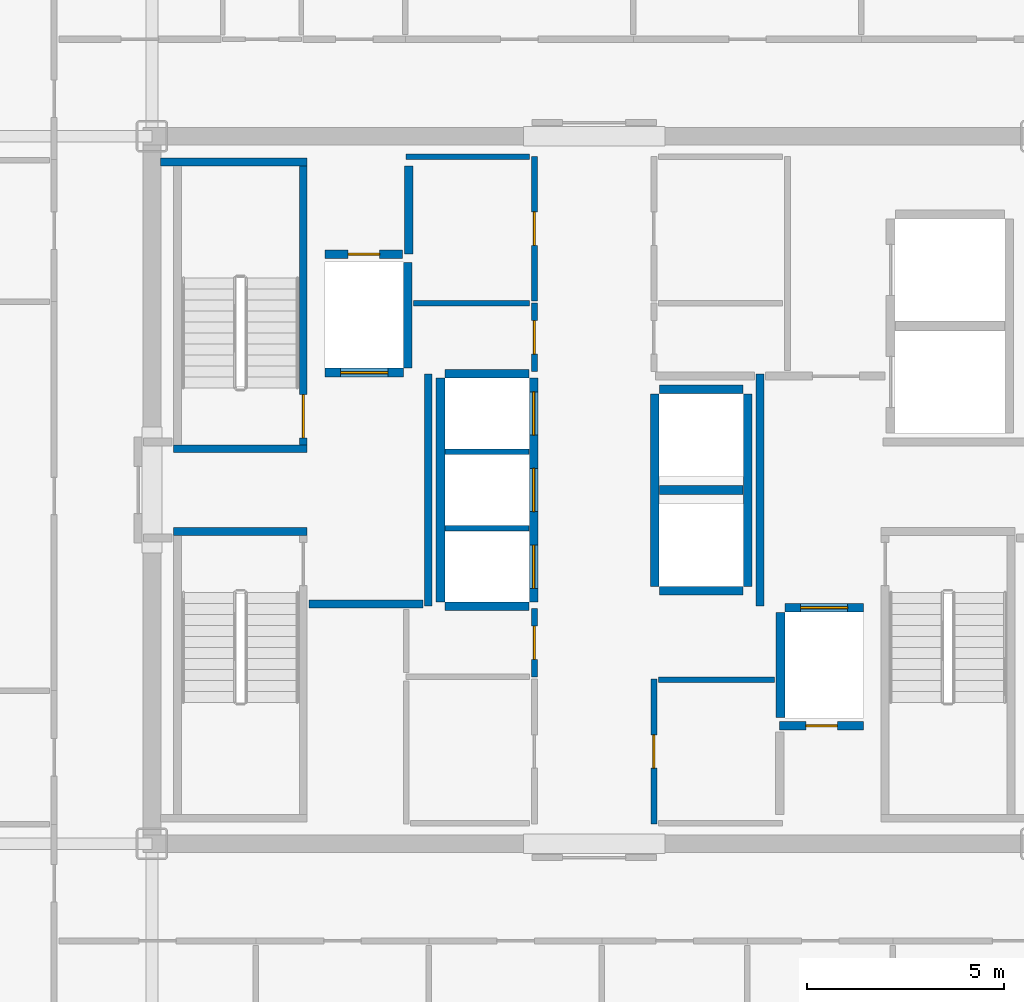
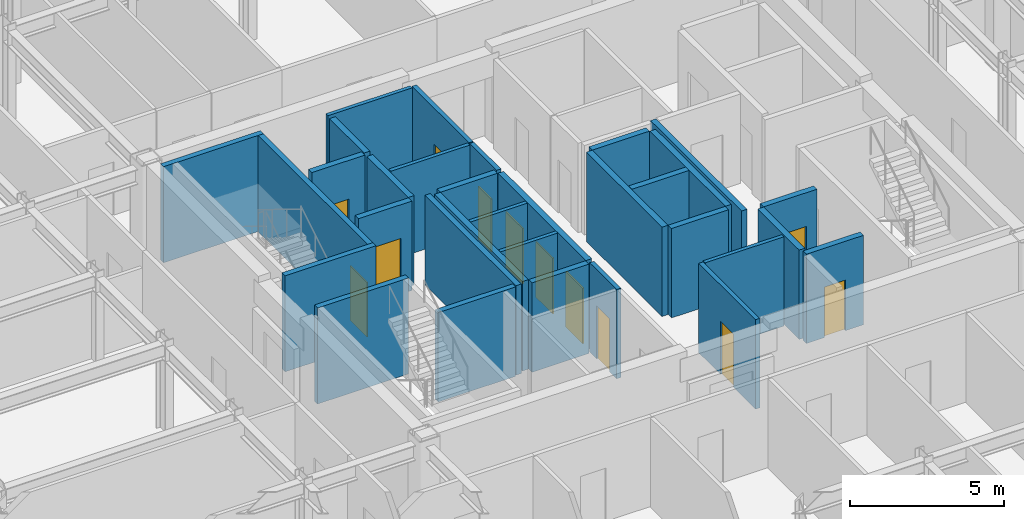
# One storey, part 12 of 17: 32 walls, 12 doors, 12 openings.
"""IFC4 building model written with IfcOpenShell, lengths in metres."""

from ifc_helpers import new_model, si_unit, direction, frame, frame_2d, origin, place, context, subcontext, project, spatial, rectangle, extrude, source, transform, mapped, material, layer, layer_set, type_object, element, fill, save


model = new_model("IFC4")

# Units and contexts
model_context = context("Model", 3, precision=1e-05, world=origin(), true_north=direction((0.0, 1.0)))
body_context = subcontext(model_context, "Body", "Model", "MODEL_VIEW")
ifc_project = project(units=[si_unit("LENGTHUNIT", "METRE"), si_unit("AREAUNIT", "SQUARE_METRE"), si_unit("VOLUMEUNIT", "CUBIC_METRE"), si_unit("PLANEANGLEUNIT", "RADIAN"), si_unit("MASSUNIT", "GRAM", prefix="KILO")], contexts=[model_context])

# Site, building, storey
site_placement = place(None, origin())
site = spatial("IfcSite", under=ifc_project, at=site_placement, CompositionType="ELEMENT")
building_placement = place(site_placement, origin())
building = spatial("IfcBuilding", under=site, at=building_placement, Name="Nefas-Gora Pilgrimage Tower", CompositionType="ELEMENT")
storey_placement = place(building_placement, frame((0.0, 0.0, 279.800048828125)))
storey = spatial("IfcBuildingStorey", under=building, at=storey_placement, Name="L70", CompositionType="ELEMENT", Elevation=279.800048828125)

# Walls
ifc_material_1 = material(Name="Concrete C45/55", Category="concrete")
ifc_layer_1 = layer(ifc_material_1, 0.199951171875)
ifc_layer_set_1 = layer_set([ifc_layer_1], Name="Concrete C45/55")
wall_type_1 = type_object("IfcWallType", Name="IW-STAIR-200", PredefinedType="SOLIDWALL", material=ifc_layer_set_1)
shared_shape_1 = source(origin(), body_context, "Body", "SweptSolid", [
    extrude(rectangle(XDim=3.39990234375, YDim=0.199951171875, at=frame_2d((1.699951171875, 0.0))), origin(), (0.0, 0.0, 1.0), 3.800048828125),
])
for number, where, z_axis, x_axis, name in (
    (1, (-7.300048828125, 1.050048828125, 0.0), (0.0, 0.0, 1.0), (-1.0, 0.0, 0.0), "L70 Stairwell Shear Wall ST-01-near"),
    (2, (-10.699951171875, -1.050048828125, 0.0), (0.0, 0.0, 1.0), (1.0, 0.0, 0.0), "L70 Stairwell Shear Wall ST-03-near"),
):
    element("IfcWall", number, at=place(storey_placement, frame(where, z_axis=z_axis, x_axis=x_axis)), inside=storey, type_object=wall_type_1, Name=name, PredefinedType="SOLIDWALL", context=body_context, shape_type="MappedRepresentation", body=[
        mapped(shared_shape_1, transform((0.0, 0.0, 0.0), x_axis=(1.0, 0.0, 0.0), y_axis=(0.0, 1.0, 0.0), z_axis=(0.0, 0.0, 1.0), scale=1.0)),
    ])

# Wall, opening, door
shared_shape_2 = source(origin(), body_context, "Body", "SweptSolid", [
    extrude(rectangle(XDim=7.10009765625, YDim=0.199951171875, at=frame_2d((3.550048828125, 0.0))), origin(), (0.0, 0.0, 1.0), 3.800048828125),
])
wall_1_placement = place(storey_placement, frame((-7.39990234375, 1.14990234375, 0.0), z_axis=(0.0, 0.0, 1.0), x_axis=(0.0, 1.0, 0.0)))
wall_1 = element("IfcWall", 3, at=wall_1_placement, inside=storey, type_object=wall_type_1, Name="L70 Stairwell Shear Wall ST-01-left", PredefinedType="SOLIDWALL", context=body_context, shape_type="MappedRepresentation", body=[
    mapped(shared_shape_2, transform((0.0, 0.0, 0.0), x_axis=(1.0, 0.0, 0.0), y_axis=(0.0, 1.0, 0.0), z_axis=(0.0, 0.0, 1.0), scale=1.0)),
])
opening_1_placement = place(wall_1_placement, frame((0.179931640625, 0.0, 0.0)))
opening_1 = element("IfcOpeningElement", 4, at=opening_1_placement, cuts=wall_1, Name="Opening ID-ST1", PredefinedType="OPENING", context=body_context, shape_type="SweptSolid", body=[
    extrude(rectangle(XDim=1.10009765625, YDim=2.14990234375, at=frame_2d((0.550048828125, 1.074951171875))), frame((0.0, 0.10986328125, 0.0), z_axis=(0.0, -1.0, 0.0), x_axis=(1.0, 0.0, 0.0)), (0.0, 0.0, 1.0), 0.219970703125),
])
ifc_material_2 = material(Name="Painted galvanised steel fire stair door", Category="steel")
door_type_1 = type_object("IfcDoorType", Name="DR-INT-STAIR-1100", OperationType="NOTDEFINED", PredefinedType="DOOR", material=ifc_material_2)
shared_shape_3 = source(origin(), body_context, "Body", "SweptSolid", [
    extrude(rectangle(XDim=1.10009765625, YDim=2.14990234375, at=frame_2d((0.550048828125, 1.074951171875))), frame((0.0, 0.02490234375, 0.0), z_axis=(0.0, -1.0, 0.0), x_axis=(1.0, 0.0, 0.0)), (0.0, 0.0, 1.0), 0.050048828125),
])
door_1_placement = place(opening_1_placement, origin())
door_1 = element("IfcDoor", 5, at=door_1_placement, inside=storey, type_object=door_type_1, Name="L70 Protected Exit Stair Door ST-01", OperationType="SINGLE_SWING_RIGHT", OverallHeight=2.14990234375, OverallWidth=1.10009765625, PredefinedType="DOOR", context=body_context, shape_type="MappedRepresentation", body=[
    mapped(shared_shape_3, transform((0.0, 0.0, 0.0), x_axis=(1.0, 0.0, 0.0), y_axis=(0.0, 1.0, 0.0), z_axis=(0.0, 0.0, 1.0), scale=1.0)),
])
fill(opening_1, door_1)

# Wall
shared_shape_4 = source(origin(), body_context, "Body", "SweptSolid", [
    extrude(rectangle(XDim=3.72998046875, YDim=0.199951171875, at=frame_2d((1.864990234375, 0.0))), origin(), (0.0, 0.0, 1.0), 3.800048828125),
])
wall_2_placement = place(storey_placement, frame((-7.300048828125, 8.35009765625, 0.0), z_axis=(0.0, 0.0, 1.0), x_axis=(-1.0, 0.0, 0.0)))
element("IfcWall", 6, at=wall_2_placement, inside=storey, type_object=wall_type_1, Name="L70 Stairwell Shear Wall ST-01-far", PredefinedType="SOLIDWALL", context=body_context, shape_type="MappedRepresentation", body=[
    mapped(shared_shape_4, transform((0.0, 0.0, 0.0), x_axis=(1.0, 0.0, 0.0), y_axis=(0.0, 1.0, 0.0), z_axis=(0.0, 0.0, 1.0), scale=1.0)),
])

# Wall, opening, door
ifc_material_3 = material(Name="Concrete C40/50", Category="concrete")
ifc_layer_2 = layer(ifc_material_3, 0.219970703125)
ifc_layer_set_2 = layer_set([ifc_layer_2], Name="Concrete C40/50")
wall_type_2 = type_object("IfcWallType", Name="IW-SHAFT-220", PredefinedType="SOLIDWALL", material=ifc_layer_set_2)
shared_shape_5 = source(origin(), body_context, "Body", "SweptSolid", [
    extrude(rectangle(XDim=2.0, YDim=0.219970703125, at=frame_2d((1.0, 0.0))), origin(), (0.0, 0.0, 1.0), 3.534912109375),
])
wall_3_placement = place(storey_placement, frame((-6.85009765625, 2.989990234375, 0.0), z_axis=(0.0, 0.0, 1.0), x_axis=(1.0, 0.0, 0.0)))
wall_3 = element("IfcWall", 7, at=wall_3_placement, inside=storey, type_object=wall_type_2, Name="L70 Hoistway Wall FFL-01-S", PredefinedType="SOLIDWALL", context=body_context, shape_type="MappedRepresentation", body=[
    mapped(shared_shape_5, transform((0.0, 0.0, 0.0), x_axis=(1.0, 0.0, 0.0), y_axis=(0.0, 1.0, 0.0), z_axis=(0.0, 0.0, 1.0), scale=1.0)),
])
opening_2_placement = place(wall_3_placement, frame((0.39990234375, 0.0, 0.0)))
opening_2 = element("IfcOpeningElement", 8, at=opening_2_placement, cuts=wall_3, Name="Opening LD-FF", PredefinedType="OPENING", context=body_context, shape_type="SweptSolid", body=[
    extrude(rectangle(XDim=1.199951171875, YDim=2.199951171875, at=frame_2d((0.60009765625, 1.10009765625))), frame((0.0, 0.119873046875, 0.0), z_axis=(0.0, -1.0, 0.0), x_axis=(1.0, 0.0, 0.0)), (0.0, 0.0, 1.0), 0.239990234375),
])
ifc_material_4 = material(Name="Fire-service sliding lift landing door")
door_type_2 = type_object("IfcDoorType", Name="DR-LIFT-FSAE-1200", OperationType="SLIDING_TO_LEFT", PredefinedType="DOOR", material=ifc_material_4)
shared_shape_6 = source(origin(), body_context, "Body", "SweptSolid", [
    extrude(rectangle(XDim=1.199951171875, YDim=2.199951171875, at=frame_2d((0.60009765625, 1.10009765625))), frame((0.0, 0.02490234375, 0.0), z_axis=(0.0, -1.0, 0.0), x_axis=(1.0, 0.0, 0.0)), (0.0, 0.0, 1.0), 0.050048828125),
])
door_2_placement = place(opening_2_placement, origin())
door_2 = element("IfcDoor", 9, at=door_2_placement, inside=storey, type_object=door_type_2, Name="L70 Sliding Lift Landing Door FFL-01", OperationType="SLIDING_TO_LEFT", OverallHeight=2.199951171875, OverallWidth=1.199951171875, PredefinedType="DOOR", context=body_context, shape_type="MappedRepresentation", body=[
    mapped(shared_shape_6, transform((0.0, 0.0, 0.0), x_axis=(1.0, 0.0, 0.0), y_axis=(0.0, 1.0, 0.0), z_axis=(0.0, 0.0, 1.0), scale=1.0)),
])
fill(opening_2, door_2)

wall_4_placement = place(storey_placement, frame((6.85009765625, -2.989990234375, 0.0), z_axis=(0.0, 0.0, 1.0), x_axis=(-1.0, 0.0, 0.0)))
wall_4 = element("IfcWall", 10, at=wall_4_placement, inside=storey, type_object=wall_type_2, Name="L70 Hoistway Wall FFL-02-N", PredefinedType="SOLIDWALL", context=body_context, shape_type="MappedRepresentation", body=[
    mapped(shared_shape_5, transform((0.0, 0.0, 0.0), x_axis=(1.0, 0.0, 0.0), y_axis=(0.0, 1.0, 0.0), z_axis=(0.0, 0.0, 1.0), scale=1.0)),
])
opening_3_placement = place(wall_4_placement, frame((0.39990234375, 0.0, 0.0)))
opening_3 = element("IfcOpeningElement", 11, at=opening_3_placement, cuts=wall_4, Name="Opening LD-FF", PredefinedType="OPENING", context=body_context, shape_type="SweptSolid", body=[
    extrude(rectangle(XDim=1.199951171875, YDim=2.199951171875, at=frame_2d((0.60009765625, 1.10009765625))), frame((0.0, 0.119873046875, 0.0), z_axis=(0.0, -1.0, 0.0), x_axis=(1.0, 0.0, 0.0)), (0.0, 0.0, 1.0), 0.239990234375),
])
door_3_placement = place(opening_3_placement, origin())
door_3 = element("IfcDoor", 12, at=door_3_placement, inside=storey, type_object=door_type_2, Name="L70 Sliding Lift Landing Door FFL-02", OperationType="SLIDING_TO_LEFT", OverallHeight=2.199951171875, OverallWidth=1.199951171875, PredefinedType="DOOR", context=body_context, shape_type="MappedRepresentation", body=[
    mapped(shared_shape_6, transform((0.0, 0.0, 0.0), x_axis=(1.0, 0.0, 0.0), y_axis=(0.0, 1.0, 0.0), z_axis=(0.0, 0.0, 1.0), scale=1.0)),
])
fill(opening_3, door_3)

# Walls
shared_shape_7 = source(origin(), body_context, "Body", "SweptSolid", [
    extrude(rectangle(XDim=2.679931640625, YDim=0.219970703125, at=frame_2d((1.33984375, 0.0))), origin(), (0.0, 0.0, 1.0), 3.534912109375),
])
for number, where, z_axis, x_axis, name in (
    (13, (-4.739990234375, 3.110107421875, 0.0), (0.0, 0.0, 1.0), (0.0, 1.0, 0.0), "L70 Hoistway Wall FFL-01-E"),
    (14, (4.739990234375, -3.110107421875, 0.0), (0.0, 0.0, 1.0), (0.0, -1.0, 0.0), "L70 Hoistway Wall FFL-02-W"),
):
    element("IfcWall", number, at=place(storey_placement, frame(where, z_axis=z_axis, x_axis=x_axis)), inside=storey, type_object=wall_type_2, Name=name, PredefinedType="SOLIDWALL", context=body_context, shape_type="MappedRepresentation", body=[
        mapped(shared_shape_7, transform((0.0, 0.0, 0.0), x_axis=(1.0, 0.0, 0.0), y_axis=(0.0, 1.0, 0.0), z_axis=(0.0, 0.0, 1.0), scale=1.0)),
    ])

# Wall, openings, doors
shared_shape_8 = source(origin(), body_context, "Body", "SweptSolid", [
    extrude(rectangle(XDim=5.7001953125, YDim=0.219970703125, at=frame_2d((2.85009765625, 0.0))), origin(), (0.0, 0.0, 1.0), 3.534912109375),
])
wall_5_placement = place(storey_placement, frame((-1.5400390625, -2.85009765625, 0.0), z_axis=(0.0, 0.0, 1.0), x_axis=(0.0, 1.0, 0.0)))
wall_5 = element("IfcWall", 15, at=wall_5_placement, inside=storey, type_object=wall_type_2, Name="L70 Hoistway Wall PL3-01-03-E", PredefinedType="SOLIDWALL", context=body_context, shape_type="MappedRepresentation", body=[
    mapped(shared_shape_8, transform((0.0, 0.0, 0.0), x_axis=(1.0, 0.0, 0.0), y_axis=(0.0, 1.0, 0.0), z_axis=(0.0, 0.0, 1.0), scale=1.0)),
])
opening_4_placement = place(wall_5_placement, frame((0.35009765625, 0.0, 0.0)))
opening_4 = element("IfcOpeningElement", 16, at=opening_4_placement, cuts=wall_5, Name="Opening LD-01", PredefinedType="OPENING", context=body_context, shape_type="SweptSolid", body=[
    extrude(rectangle(XDim=1.10009765625, YDim=2.199951171875, at=frame_2d((0.550048828125, 1.10009765625))), frame((0.0, 0.119873046875, 0.0), z_axis=(0.0, -1.0, 0.0), x_axis=(1.0, 0.0, 0.0)), (0.0, 0.0, 1.0), 0.239990234375),
])
opening_5_placement = place(wall_5_placement, frame((2.300048828125, 0.0, 0.0)))
opening_5 = element("IfcOpeningElement", 17, at=opening_5_placement, cuts=wall_5, Name="Opening LD-01", PredefinedType="OPENING", context=body_context, shape_type="SweptSolid", body=[
    extrude(rectangle(XDim=1.10009765625, YDim=2.199951171875, at=frame_2d((0.550048828125, 1.10009765625))), frame((0.0, 0.119873046875, 0.0), z_axis=(0.0, -1.0, 0.0), x_axis=(1.0, 0.0, 0.0)), (0.0, 0.0, 1.0), 0.239990234375),
])
opening_6_placement = place(wall_5_placement, frame((4.25, 0.0, 0.0)))
opening_6 = element("IfcOpeningElement", 18, at=opening_6_placement, cuts=wall_5, Name="Opening LD-01", PredefinedType="OPENING", context=body_context, shape_type="SweptSolid", body=[
    extrude(rectangle(XDim=1.10009765625, YDim=2.199951171875, at=frame_2d((0.550048828125, 1.10009765625))), frame((0.0, 0.119873046875, 0.0), z_axis=(0.0, -1.0, 0.0), x_axis=(1.0, 0.0, 0.0)), (0.0, 0.0, 1.0), 0.239990234375),
])
ifc_material_5 = material(Name="Brushed stainless sliding lift landing door")
door_type_3 = type_object("IfcDoorType", Name="DR-LIFT-PASS-1100", OperationType="DOUBLE_DOOR_SLIDING", PredefinedType="DOOR", material=ifc_material_5)
shared_shape_9 = source(origin(), body_context, "Body", "SweptSolid", [
    extrude(rectangle(XDim=1.10009765625, YDim=2.199951171875, at=frame_2d((0.550048828125, 1.10009765625))), frame((0.0, 0.02490234375, 0.0), z_axis=(0.0, -1.0, 0.0), x_axis=(1.0, 0.0, 0.0)), (0.0, 0.0, 1.0), 0.050048828125),
])
door_4_placement = place(opening_4_placement, origin())
door_4 = element("IfcDoor", 19, at=door_4_placement, inside=storey, type_object=door_type_3, Name="L70 Sliding Lift Landing Door PL3-01", OperationType="DOUBLE_DOOR_SLIDING", OverallHeight=2.199951171875, OverallWidth=1.10009765625, PredefinedType="DOOR", context=body_context, shape_type="MappedRepresentation", body=[
    mapped(shared_shape_9, transform((0.0, 0.0, 0.0), x_axis=(1.0, 0.0, 0.0), y_axis=(0.0, 1.0, 0.0), z_axis=(0.0, 0.0, 1.0), scale=1.0)),
])
fill(opening_4, door_4)
door_5_placement = place(opening_5_placement, origin())
door_5 = element("IfcDoor", 20, at=door_5_placement, inside=storey, type_object=door_type_3, Name="L70 Sliding Lift Landing Door PL3-02", OperationType="DOUBLE_DOOR_SLIDING", OverallHeight=2.199951171875, OverallWidth=1.10009765625, PredefinedType="DOOR", context=body_context, shape_type="MappedRepresentation", body=[
    mapped(shared_shape_9, transform((0.0, 0.0, 0.0), x_axis=(1.0, 0.0, 0.0), y_axis=(0.0, 1.0, 0.0), z_axis=(0.0, 0.0, 1.0), scale=1.0)),
])
fill(opening_5, door_5)
door_6_placement = place(opening_6_placement, origin())
door_6 = element("IfcDoor", 21, at=door_6_placement, inside=storey, type_object=door_type_3, Name="L70 Sliding Lift Landing Door PL3-03", OperationType="DOUBLE_DOOR_SLIDING", OverallHeight=2.199951171875, OverallWidth=1.10009765625, PredefinedType="DOOR", context=body_context, shape_type="MappedRepresentation", body=[
    mapped(shared_shape_9, transform((0.0, 0.0, 0.0), x_axis=(1.0, 0.0, 0.0), y_axis=(0.0, 1.0, 0.0), z_axis=(0.0, 0.0, 1.0), scale=1.0)),
])
fill(opening_6, door_6)

# Walls
wall_6_placement = place(storey_placement, frame((-3.909912109375, 2.85009765625, 0.0), z_axis=(0.0, 0.0, 1.0), x_axis=(0.0, -1.0, 0.0)))
element("IfcWall", 22, at=wall_6_placement, inside=storey, type_object=wall_type_2, Name="L70 Hoistway Wall PL3-01-03-W", PredefinedType="SOLIDWALL", context=body_context, shape_type="MappedRepresentation", body=[
    mapped(shared_shape_8, transform((0.0, 0.0, 0.0), x_axis=(1.0, 0.0, 0.0), y_axis=(0.0, 1.0, 0.0), z_axis=(0.0, 0.0, 1.0), scale=1.0)),
])
shared_shape_10 = source(origin(), body_context, "Body", "SweptSolid", [
    extrude(rectangle(XDim=2.130126953125, YDim=0.219970703125, at=frame_2d((1.06494140625, 0.0))), origin(), (0.0, 0.0, 1.0), 3.534912109375),
])
for number, where, z_axis, x_axis, name in (
    (23, (-3.7900390625, -2.9599609375, 0.0), (0.0, 0.0, 1.0), (1.0, 0.0, 0.0), "L70 Hoistway Wall PL3-01-S"),
    (24, (-1.659912109375, 2.9599609375, 0.0), (0.0, 0.0, 1.0), (-1.0, 0.0, 0.0), "L70 Hoistway Wall PL3-03-N"),
    (25, (1.659912109375, -2.56005859375, 0.0), (0.0, 0.0, 1.0), (1.0, 0.0, 0.0), "L70 Hoistway Wall OBS-01-S"),
    (26, (1.659912109375, 0.0, 0.0), (0.0, 0.0, 1.0), (1.0, 0.0, 0.0), "L70 Hoistway Wall OBS-01-02-DIV"),
    (27, (3.7900390625, 2.56005859375, 0.0), (0.0, 0.0, 1.0), (-1.0, 0.0, 0.0), "L70 Hoistway Wall OBS-02-N"),
):
    element("IfcWall", number, at=place(storey_placement, frame(where, z_axis=z_axis, x_axis=x_axis)), inside=storey, type_object=wall_type_2, Name=name, PredefinedType="SOLIDWALL", context=body_context, shape_type="MappedRepresentation", body=[
        mapped(shared_shape_10, transform((0.0, 0.0, 0.0), x_axis=(1.0, 0.0, 0.0), y_axis=(0.0, 1.0, 0.0), z_axis=(0.0, 0.0, 1.0), scale=1.0)),
    ])

# Wall, opening, door
wall_7_placement = place(storey_placement, frame((4.719970703125, -6.0, 0.0), z_axis=(0.0, 0.0, 1.0), x_axis=(1.0, 0.0, 0.0)))
wall_7 = element("IfcWall", 28, at=wall_7_placement, inside=storey, type_object=wall_type_2, Name="L70 Riser Shaft Wall 3", PredefinedType="SOLIDWALL", context=body_context, shape_type="MappedRepresentation", body=[
    mapped(shared_shape_10, transform((0.0, 0.0, 0.0), x_axis=(1.0, 0.0, 0.0), y_axis=(0.0, 1.0, 0.0), z_axis=(0.0, 0.0, 1.0), scale=1.0)),
])
opening_7_placement = place(wall_7_placement, frame((0.6650390625, 0.0, 0.0)))
opening_7 = element("IfcOpeningElement", 29, at=opening_7_placement, cuts=wall_7, Name="Opening ID-TR1", PredefinedType="OPENING", context=body_context, shape_type="SweptSolid", body=[
    extrude(rectangle(XDim=0.800048828125, YDim=2.0, at=frame_2d((0.39990234375, 1.0))), frame((0.0, 0.119873046875, 0.0), z_axis=(0.0, -1.0, 0.0), x_axis=(1.0, 0.0, 0.0)), (0.0, 0.0, 1.0), 0.239990234375),
])
ifc_material_6 = material(Name="Riser maintenance fire access door")
door_type_4 = type_object("IfcDoorType", Name="DR-INT-TRAP-800", OperationType="NOTDEFINED", PredefinedType="TRAPDOOR", material=ifc_material_6)
shared_shape_11 = source(origin(), body_context, "Body", "SweptSolid", [
    extrude(rectangle(XDim=0.800048828125, YDim=2.0, at=frame_2d((0.39990234375, 1.0))), frame((0.0, 0.02490234375, 0.0), z_axis=(0.0, -1.0, 0.0), x_axis=(1.0, 0.0, 0.0)), (0.0, 0.0, 1.0), 0.050048828125),
])
door_7_placement = place(opening_7_placement, origin())
door_7 = element("IfcDoor", 30, at=door_7_placement, inside=storey, type_object=door_type_4, Name="L70 Riser Shaft Door 2", OperationType="SINGLE_SWING_RIGHT", OverallHeight=2.0, OverallWidth=0.800048828125, PredefinedType="TRAPDOOR", context=body_context, shape_type="MappedRepresentation", body=[
    mapped(shared_shape_11, transform((0.0, 0.0, 0.0), x_axis=(1.0, 0.0, 0.0), y_axis=(0.0, 1.0, 0.0), z_axis=(0.0, 0.0, 1.0), scale=1.0)),
])
fill(opening_7, door_7)

# Walls
ifc_material_7 = material(Name="Gypsum twin-stud partition")
ifc_layer_3 = layer(ifc_material_7, 0.139892578125)
ifc_layer_set_3 = layer_set([ifc_layer_3], Name="Gypsum twin-stud partition")
wall_type_3 = type_object("IfcWallType", Name="IW-UNIT-140", PredefinedType="PARTITIONING", material=ifc_layer_set_3)
shared_shape_12 = source(origin(), body_context, "Body", "SweptSolid", [
    extrude(rectangle(XDim=2.130126953125, YDim=0.139892578125, at=frame_2d((1.06494140625, 0.0))), origin(), (0.0, 0.0, 1.0), 3.534912109375),
])
for number, where, z_axis, x_axis, name in (
    (31, (-3.7900390625, -0.97509765625, 0.0), (0.0, 0.0, 1.0), (1.0, 0.0, 0.0), "L70 Hoistway Wall PL3-01-02-DIV"),
    (32, (-3.7900390625, 0.97509765625, 0.0), (0.0, 0.0, 1.0), (1.0, 0.0, 0.0), "L70 Hoistway Wall PL3-02-03-DIV"),
):
    element("IfcWall", number, at=place(storey_placement, frame(where, z_axis=z_axis, x_axis=x_axis)), inside=storey, type_object=wall_type_3, Name=name, PredefinedType="PARTITIONING", context=body_context, shape_type="MappedRepresentation", body=[
        mapped(shared_shape_12, transform((0.0, 0.0, 0.0), x_axis=(1.0, 0.0, 0.0), y_axis=(0.0, 1.0, 0.0), z_axis=(0.0, 0.0, 1.0), scale=1.0)),
    ])
shared_shape_13 = source(origin(), body_context, "Body", "SweptSolid", [
    extrude(rectangle(XDim=4.89990234375, YDim=0.219970703125, at=frame_2d((2.449951171875, 0.0))), origin(), (0.0, 0.0, 1.0), 3.534912109375),
])
for number, where, z_axis, x_axis, name in (
    (33, (1.5400390625, 2.449951171875, 0.0), (0.0, 0.0, 1.0), (0.0, -1.0, 0.0), "L70 Hoistway Wall OBS-01-02-W"),
    (34, (3.909912109375, -2.449951171875, 0.0), (0.0, 0.0, 1.0), (0.0, 1.0, 0.0), "L70 Hoistway Wall OBS-01-02-E"),
):
    element("IfcWall", number, at=place(storey_placement, frame(where, z_axis=z_axis, x_axis=x_axis)), inside=storey, type_object=wall_type_2, Name=name, PredefinedType="SOLIDWALL", context=body_context, shape_type="MappedRepresentation", body=[
        mapped(shared_shape_13, transform((0.0, 0.0, 0.0), x_axis=(1.0, 0.0, 0.0), y_axis=(0.0, 1.0, 0.0), z_axis=(0.0, 0.0, 1.0), scale=1.0)),
    ])
ifc_material_8 = material(Name="Gypsum fire-rated shaftwall")
ifc_layer_4 = layer(ifc_material_8, 0.199951171875)
ifc_layer_set_4 = layer_set([ifc_layer_4], Name="Gypsum fire-rated shaftwall")
wall_type_4 = type_object("IfcWallType", Name="IW-FFLOB-200", PredefinedType="PARTITIONING", material=ifc_layer_set_4)
shared_shape_14 = source(origin(), body_context, "Body", "SweptSolid", [
    extrude(rectangle(XDim=5.89990234375, YDim=0.199951171875, at=frame_2d((2.949951171875, 0.0))), origin(), (0.0, 0.0, 1.0), 3.534912109375),
])
for number, where, z_axis, x_axis, name in (
    (35, (-4.219970703125, -2.949951171875, 0.0), (0.0, 0.0, 1.0), (0.0, 1.0, 0.0), "L70 FF Lobby West Inner Wall Wall 6"),
    (36, (4.219970703125, -2.949951171875, 0.0), (0.0, 0.0, 1.0), (0.0, 1.0, 0.0), "L70 FF Lobby East Inner Wall Wall 11"),
):
    element("IfcWall", number, at=place(storey_placement, frame(where, z_axis=z_axis, x_axis=x_axis)), inside=storey, type_object=wall_type_4, Name=name, PredefinedType="PARTITIONING", context=body_context, shape_type="MappedRepresentation", body=[
        mapped(shared_shape_14, transform((0.0, 0.0, 0.0), x_axis=(1.0, 0.0, 0.0), y_axis=(0.0, 1.0, 0.0), z_axis=(0.0, 0.0, 1.0), scale=1.0)),
    ])
shared_shape_15 = source(origin(), body_context, "Body", "SweptSolid", [
    extrude(rectangle(XDim=2.89990234375, YDim=0.199951171875, at=frame_2d((1.449951171875, 0.0))), origin(), (0.0, 0.0, 1.0), 3.534912109375),
])
wall_8_placement = place(storey_placement, frame((-7.260009765625, -2.89990234375, 0.0), z_axis=(0.0, 0.0, 1.0), x_axis=(1.0, 0.0, 0.0)))
element("IfcWall", 37, at=wall_8_placement, inside=storey, type_object=wall_type_4, Name="L70 FF Lobby West South Wall Wall 7", PredefinedType="PARTITIONING", context=body_context, shape_type="MappedRepresentation", body=[
    mapped(shared_shape_15, transform((0.0, 0.0, 0.0), x_axis=(1.0, 0.0, 0.0), y_axis=(0.0, 1.0, 0.0), z_axis=(0.0, 0.0, 1.0), scale=1.0)),
])
shared_shape_16 = source(origin(), body_context, "Body", "SweptSolid", [
    extrude(rectangle(XDim=2.9501953125, YDim=0.139892578125, at=frame_2d((1.47509765625, 0.0))), origin(), (0.0, 0.0, 1.0), 3.534912109375),
])
for number, where, z_axis, x_axis, name in (
    (38, (-4.590087890625, 4.75, 0.0), (0.0, 0.0, 1.0), (1.0, 0.0, 0.0), "L70 Housekeeping and Linen Store Partition Wall 20"),
    (39, (1.639892578125, -4.820068359375, 0.0), (0.0, 0.0, 1.0), (1.0, 0.0, 0.0), "L70 High-Rise Tableware Store Partition Wall 34"),
):
    element("IfcWall", number, at=place(storey_placement, frame(where, z_axis=z_axis, x_axis=x_axis)), inside=storey, type_object=wall_type_3, Name=name, PredefinedType="PARTITIONING", context=body_context, shape_type="MappedRepresentation", body=[
        mapped(shared_shape_16, transform((0.0, 0.0, 0.0), x_axis=(1.0, 0.0, 0.0), y_axis=(0.0, 1.0, 0.0), z_axis=(0.0, 0.0, 1.0), scale=1.0)),
    ])
shared_shape_17 = source(origin(), body_context, "Body", "SweptSolid", [
    extrude(rectangle(XDim=3.150146484375, YDim=0.139892578125, at=frame_2d((1.5751953125, 0.0))), origin(), (0.0, 0.0, 1.0), 3.534912109375),
])
wall_9_placement = place(storey_placement, frame((-4.7900390625, 8.47998046875, 0.0), z_axis=(0.0, 0.0, 1.0), x_axis=(1.0, 0.0, 0.0)))
element("IfcWall", 40, at=wall_9_placement, inside=storey, type_object=wall_type_3, Name="L70 Archival Supply Store Partition Wall 22", PredefinedType="PARTITIONING", context=body_context, shape_type="MappedRepresentation", body=[
    mapped(shared_shape_17, transform((0.0, 0.0, 0.0), x_axis=(1.0, 0.0, 0.0), y_axis=(0.0, 1.0, 0.0), z_axis=(0.0, 0.0, 1.0), scale=1.0)),
])
shared_shape_18 = source(origin(), body_context, "Body", "SweptSolid", [
    extrude(rectangle(XDim=2.25, YDim=0.219970703125, at=frame_2d((1.125, 0.0))), origin(), (0.0, 0.0, 1.0), 3.534912109375),
])
wall_10_placement = place(storey_placement, frame((-4.719970703125, 6.0, 0.0), z_axis=(0.0, 0.0, 1.0), x_axis=(0.0, 1.0, 0.0)))
element("IfcWall", 41, at=wall_10_placement, inside=storey, type_object=wall_type_2, Name="L70 Riser Shaft Wall 1", PredefinedType="SOLIDWALL", context=body_context, shape_type="MappedRepresentation", body=[
    mapped(shared_shape_18, transform((0.0, 0.0, 0.0), x_axis=(1.0, 0.0, 0.0), y_axis=(0.0, 1.0, 0.0), z_axis=(0.0, 0.0, 1.0), scale=1.0)),
])

# Wall, opening, door
shared_shape_19 = source(origin(), body_context, "Body", "SweptSolid", [
    extrude(rectangle(XDim=1.97998046875, YDim=0.219970703125, at=frame_2d((0.989990234375, 0.0))), origin(), (0.0, 0.0, 1.0), 3.534912109375),
])
wall_11_placement = place(storey_placement, frame((-6.85009765625, 6.0, 0.0), z_axis=(0.0, 0.0, 1.0), x_axis=(1.0, 0.0, 0.0)))
wall_11 = element("IfcWall", 42, at=wall_11_placement, inside=storey, type_object=wall_type_2, Name="L70 Riser Shaft Wall 2", PredefinedType="SOLIDWALL", context=body_context, shape_type="MappedRepresentation", body=[
    mapped(shared_shape_19, transform((0.0, 0.0, 0.0), x_axis=(1.0, 0.0, 0.0), y_axis=(0.0, 1.0, 0.0), z_axis=(0.0, 0.0, 1.0), scale=1.0)),
])
opening_8_placement = place(wall_11_placement, frame((0.590087890625, 0.0, 0.0)))
opening_8 = element("IfcOpeningElement", 43, at=opening_8_placement, cuts=wall_11, Name="Opening ID-TR1", PredefinedType="OPENING", context=body_context, shape_type="SweptSolid", body=[
    extrude(rectangle(XDim=0.800048828125, YDim=2.0, at=frame_2d((0.39990234375, 1.0))), frame((0.0, 0.119873046875, 0.0), z_axis=(0.0, -1.0, 0.0), x_axis=(1.0, 0.0, 0.0)), (0.0, 0.0, 1.0), 0.239990234375),
])
door_8_placement = place(opening_8_placement, origin())
door_8 = element("IfcDoor", 44, at=door_8_placement, inside=storey, type_object=door_type_4, Name="L70 Riser Shaft Door 1", OperationType="SINGLE_SWING_LEFT", OverallHeight=2.0, OverallWidth=0.800048828125, PredefinedType="TRAPDOOR", context=body_context, shape_type="MappedRepresentation", body=[
    mapped(shared_shape_11, transform((0.0, 0.0, 0.0), x_axis=(1.0, 0.0, 0.0), y_axis=(0.0, 1.0, 0.0), z_axis=(0.0, 0.0, 1.0), scale=1.0)),
])
fill(opening_8, door_8)

ifc_material_9 = material(Name="Gypsum acoustic stud partition")
ifc_layer_5 = layer(ifc_material_9, 0.159912109375)
ifc_layer_set_5 = layer_set([ifc_layer_5], Name="Gypsum acoustic stud partition")
wall_type_5 = type_object("IfcWallType", Name="IW-CORR-160", PredefinedType="PARTITIONING", material=ifc_layer_set_5)
shared_shape_20 = source(origin(), body_context, "Body", "SweptSolid", [
    extrude(rectangle(XDim=1.75, YDim=0.159912109375, at=frame_2d((0.875, 0.0))), origin(), (0.0, 0.0, 1.0), 3.534912109375),
])
wall_12_placement = place(storey_placement, frame((-1.52001953125, 3.010009765625, 0.0), z_axis=(0.0, 0.0, 1.0), x_axis=(0.0, 1.0, 0.0)))
wall_12 = element("IfcWall", 45, at=wall_12_placement, inside=storey, type_object=wall_type_5, Name="L70 Housekeeping and Linen Store Wall 19", PredefinedType="PARTITIONING", context=body_context, shape_type="MappedRepresentation", body=[
    mapped(shared_shape_20, transform((0.0, 0.0, 0.0), x_axis=(1.0, 0.0, 0.0), y_axis=(0.0, 1.0, 0.0), z_axis=(0.0, 0.0, 1.0), scale=1.0)),
])
opening_9_placement = place(wall_12_placement, frame((0.449951171875, 0.0, 0.0)))
opening_9 = element("IfcOpeningElement", 46, at=opening_9_placement, cuts=wall_12, Name="Opening ID-BT1", PredefinedType="OPENING", context=body_context, shape_type="SweptSolid", body=[
    extrude(rectangle(XDim=0.85009765625, YDim=2.10009765625, at=frame_2d((0.425048828125, 1.050048828125))), frame((0.0, 0.08984375, 0.0), z_axis=(0.0, -1.0, 0.0), x_axis=(1.0, 0.0, 0.0)), (0.0, 0.0, 1.0), 0.179931640625),
])
ifc_material_10 = material(Name="Moisture-resistant fire-rated timber door", Category="wood")
door_type_5 = type_object("IfcDoorType", Name="DR-INT-BATH-850", OperationType="NOTDEFINED", PredefinedType="DOOR", material=ifc_material_10)
shared_shape_21 = source(origin(), body_context, "Body", "SweptSolid", [
    extrude(rectangle(XDim=0.85009765625, YDim=2.10009765625, at=frame_2d((0.425048828125, 1.050048828125))), frame((0.0, 0.02490234375, 0.0), z_axis=(0.0, -1.0, 0.0), x_axis=(1.0, 0.0, 0.0)), (0.0, 0.0, 1.0), 0.050048828125),
])
door_9_placement = place(opening_9_placement, origin())
door_9 = element("IfcDoor", 47, at=door_9_placement, inside=storey, type_object=door_type_5, Name="L70 Housekeeping and Linen Store Door 8", OperationType="SINGLE_SWING_RIGHT", OverallHeight=2.10009765625, OverallWidth=0.85009765625, PredefinedType="DOOR", context=body_context, shape_type="MappedRepresentation", body=[
    mapped(shared_shape_21, transform((0.0, 0.0, 0.0), x_axis=(1.0, 0.0, 0.0), y_axis=(0.0, 1.0, 0.0), z_axis=(0.0, 0.0, 1.0), scale=1.0)),
])
fill(opening_9, door_9)

wall_13_placement = place(storey_placement, frame((-1.52001953125, -4.760009765625, 0.0), z_axis=(0.0, 0.0, 1.0), x_axis=(0.0, 1.0, 0.0)))
wall_13 = element("IfcWall", 48, at=wall_13_placement, inside=storey, type_object=wall_type_5, Name="L70 Guest Self-Service Laundry Room Wall 27", PredefinedType="PARTITIONING", context=body_context, shape_type="MappedRepresentation", body=[
    mapped(shared_shape_20, transform((0.0, 0.0, 0.0), x_axis=(1.0, 0.0, 0.0), y_axis=(0.0, 1.0, 0.0), z_axis=(0.0, 0.0, 1.0), scale=1.0)),
])
opening_10_placement = place(wall_13_placement, frame((0.449951171875, 0.0, 0.0)))
opening_10 = element("IfcOpeningElement", 49, at=opening_10_placement, cuts=wall_13, Name="Opening ID-BT1", PredefinedType="OPENING", context=body_context, shape_type="SweptSolid", body=[
    extrude(rectangle(XDim=0.85009765625, YDim=2.10009765625, at=frame_2d((0.425048828125, 1.050048828125))), frame((0.0, 0.08984375, 0.0), z_axis=(0.0, -1.0, 0.0), x_axis=(1.0, 0.0, 0.0)), (0.0, 0.0, 1.0), 0.179931640625),
])
door_10_placement = place(opening_10_placement, origin())
door_10 = element("IfcDoor", 50, at=door_10_placement, inside=storey, type_object=door_type_5, Name="L70 Guest Self-Service Laundry Room Door 12", OperationType="SINGLE_SWING_RIGHT", OverallHeight=2.10009765625, OverallWidth=0.85009765625, PredefinedType="DOOR", context=body_context, shape_type="MappedRepresentation", body=[
    mapped(shared_shape_21, transform((0.0, 0.0, 0.0), x_axis=(1.0, 0.0, 0.0), y_axis=(0.0, 1.0, 0.0), z_axis=(0.0, 0.0, 1.0), scale=1.0)),
])
fill(opening_10, door_10)

shared_shape_22 = source(origin(), body_context, "Body", "SweptSolid", [
    extrude(rectangle(XDim=3.679931640625, YDim=0.159912109375, at=frame_2d((1.83984375, 0.0))), origin(), (0.0, 0.0, 1.0), 3.534912109375),
])
wall_14_placement = place(storey_placement, frame((-1.52001953125, 4.81005859375, 0.0), z_axis=(0.0, 0.0, 1.0), x_axis=(0.0, 1.0, 0.0)))
wall_14 = element("IfcWall", 51, at=wall_14_placement, inside=storey, type_object=wall_type_5, Name="L70 Archival Supply Store Wall 21", PredefinedType="PARTITIONING", context=body_context, shape_type="MappedRepresentation", body=[
    mapped(shared_shape_22, transform((0.0, 0.0, 0.0), x_axis=(1.0, 0.0, 0.0), y_axis=(0.0, 1.0, 0.0), z_axis=(0.0, 0.0, 1.0), scale=1.0)),
])
opening_11_placement = place(wall_14_placement, frame((1.4150390625, 0.0, 0.0)))
opening_11 = element("IfcOpeningElement", 52, at=opening_11_placement, cuts=wall_14, Name="Opening ID-BT1", PredefinedType="OPENING", context=body_context, shape_type="SweptSolid", body=[
    extrude(rectangle(XDim=0.85009765625, YDim=2.10009765625, at=frame_2d((0.425048828125, 1.050048828125))), frame((0.0, 0.08984375, 0.0), z_axis=(0.0, -1.0, 0.0), x_axis=(1.0, 0.0, 0.0)), (0.0, 0.0, 1.0), 0.179931640625),
])
door_11_placement = place(opening_11_placement, origin())
door_11 = element("IfcDoor", 53, at=door_11_placement, inside=storey, type_object=door_type_5, Name="L70 Archival Supply Store Door 9", OperationType="SINGLE_SWING_LEFT", OverallHeight=2.10009765625, OverallWidth=0.85009765625, PredefinedType="DOOR", context=body_context, shape_type="MappedRepresentation", body=[
    mapped(shared_shape_21, transform((0.0, 0.0, 0.0), x_axis=(1.0, 0.0, 0.0), y_axis=(0.0, 1.0, 0.0), z_axis=(0.0, 0.0, 1.0), scale=1.0)),
])
fill(opening_11, door_11)

wall_15_placement = place(storey_placement, frame((1.52001953125, -8.489990234375, 0.0), z_axis=(0.0, 0.0, 1.0), x_axis=(0.0, 1.0, 0.0)))
wall_15 = element("IfcWall", 54, at=wall_15_placement, inside=storey, type_object=wall_type_5, Name="L70 High-Rise Tableware Store Wall 33", PredefinedType="PARTITIONING", context=body_context, shape_type="MappedRepresentation", body=[
    mapped(shared_shape_22, transform((0.0, 0.0, 0.0), x_axis=(1.0, 0.0, 0.0), y_axis=(0.0, 1.0, 0.0), z_axis=(0.0, 0.0, 1.0), scale=1.0)),
])
opening_12_placement = place(wall_15_placement, frame((1.4150390625, 0.0, 0.0)))
opening_12 = element("IfcOpeningElement", 55, at=opening_12_placement, cuts=wall_15, Name="Opening ID-BT1", PredefinedType="OPENING", context=body_context, shape_type="SweptSolid", body=[
    extrude(rectangle(XDim=0.85009765625, YDim=2.10009765625, at=frame_2d((0.425048828125, 1.050048828125))), frame((0.0, 0.08984375, 0.0), z_axis=(0.0, -1.0, 0.0), x_axis=(1.0, 0.0, 0.0)), (0.0, 0.0, 1.0), 0.179931640625),
])
door_12_placement = place(opening_12_placement, origin())
door_12 = element("IfcDoor", 56, at=door_12_placement, inside=storey, type_object=door_type_5, Name="L70 High-Rise Tableware Store Door 14", OperationType="SINGLE_SWING_RIGHT", OverallHeight=2.10009765625, OverallWidth=0.85009765625, PredefinedType="DOOR", context=body_context, shape_type="MappedRepresentation", body=[
    mapped(shared_shape_21, transform((0.0, 0.0, 0.0), x_axis=(1.0, 0.0, 0.0), y_axis=(0.0, 1.0, 0.0), z_axis=(0.0, 0.0, 1.0), scale=1.0)),
])
fill(opening_12, door_12)

save(model, "model.ifc")
